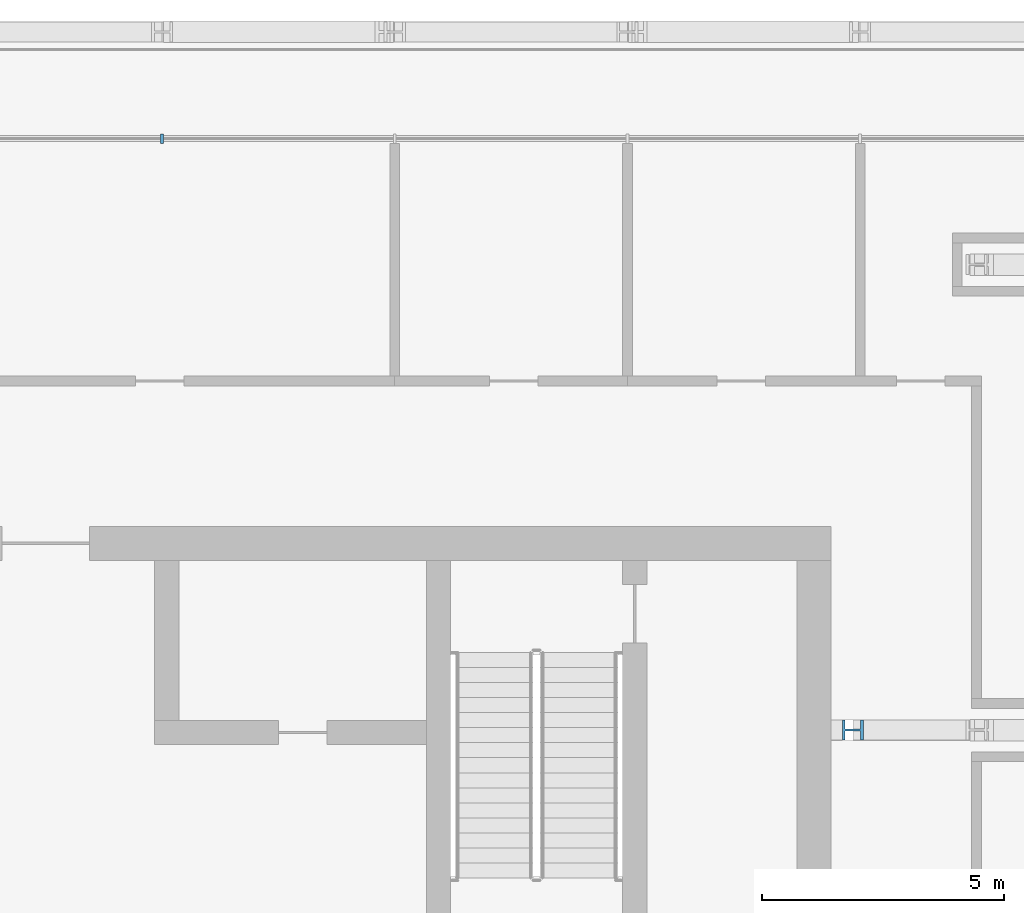
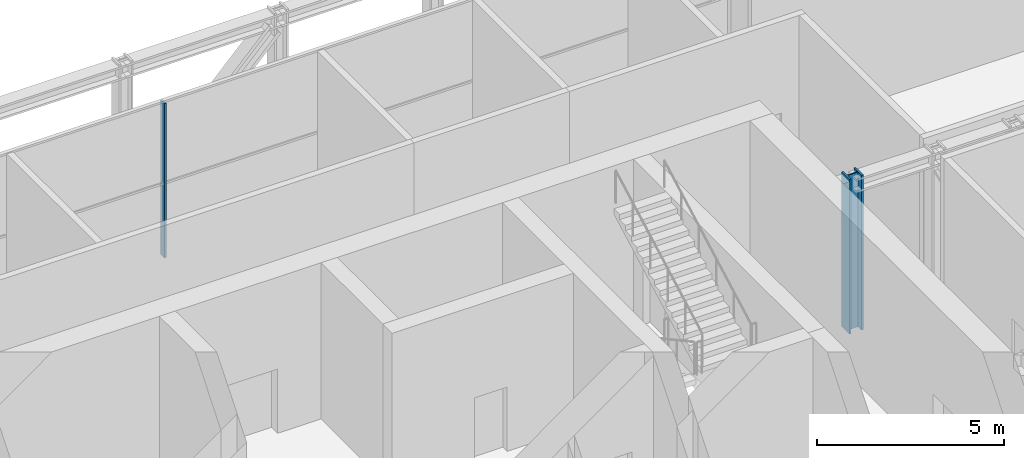
# One storey, part 14 of 30: 2 members, 1 element without a shape of its own.
"""IFC4 building model written with IfcOpenShell, lengths in metres."""

from ifc_helpers import new_model, si_unit, direction, frame, origin, origin_2d, place, context, subcontext, project, spatial, rectangle, i_section, extrude, material, layer, layer_set, material_profile, profile_set, type_object, element, aggregate, save


model = new_model("IFC4")

# Units and contexts
model_context = context("Model", 3, precision=1e-05, world=origin(), true_north=direction((0.0, 1.0)))
body_context = subcontext(model_context, "Body", "Model", "MODEL_VIEW")
ifc_project = project(units=[si_unit("LENGTHUNIT", "METRE"), si_unit("AREAUNIT", "SQUARE_METRE"), si_unit("VOLUMEUNIT", "CUBIC_METRE"), si_unit("PLANEANGLEUNIT", "RADIAN"), si_unit("MASSUNIT", "GRAM", prefix="KILO")], contexts=[model_context])

# Site, building, storey
site_placement = place(None, origin())
site = spatial("IfcSite", under=ifc_project, at=site_placement, CompositionType="ELEMENT")
building_placement = place(site_placement, origin())
building = spatial("IfcBuilding", under=site, at=building_placement, Name="Madar Terraces", CompositionType="ELEMENT")
storey_placement = place(building_placement, frame((0.0, 0.0, 173.5)))
storey = spatial("IfcBuildingStorey", under=building, at=storey_placement, Name="L45", CompositionType="ELEMENT", Elevation=173.5)

# Curtain wall, member
ifc_material_1 = material(Name="Glass, ceramic frit dark grey, with black aluminium frame", Category="aluminium")
ifc_layer = layer(ifc_material_1, 0.199951171875)
ifc_layer_set = layer_set([ifc_layer], Name="Facade curtain wall, tall glazing")
curtain_wall_type = type_object("IfcCurtainWallType", Name="Facade curtain wall, tall glazing", PredefinedType="NOTDEFINED", material=ifc_layer_set)
curtain_wall_placement = place(storey_placement, origin())
curtain_wall = element("IfcCurtainWall", 1, at=curtain_wall_placement, inside=storey, type_object=curtain_wall_type, Name="Outer skin curtain wall north bay 1", PredefinedType="NOTDEFINED")
ifc_material_2 = material(Name="Aluminium, black anodised", Category="aluminium")
ifc_material_profile_1 = material_profile(ifc_material_2, rectangle(XDim=0.199951171875, YDim=0.06005859375, at=origin_2d()), Name="Facade mullion 60x200")
ifc_profile_set_1 = profile_set([ifc_material_profile_1], Name="Aluminium, black anodised")
member_type_1 = type_object("IfcMemberType", Name="Facade mullion 60x200", PredefinedType="MULLION", material=ifc_profile_set_1)
member_1_placement = place(storey_placement, frame((33.60009765625, 45.800048828125, 0.0), z_axis=(0.0, 0.0, 1.0), x_axis=(0.0, -1.0, 0.0)))
member_1 = element("IfcMember", 2, at=member_1_placement, type_object=member_type_1, Name="Mullion 5", PredefinedType="MULLION", context=body_context, shape_type="SweptSolid", body=[
    extrude(rectangle(XDim=0.199951171875, YDim=0.06005859375, at=origin_2d()), origin(), (0.0, 0.0, 1.0), 5.0400390625),
])
aggregate(curtain_wall, [member_1])

# Member
ifc_material_3 = material(Name="Steel ASTM A913 Grade 65", Category="steel")
ifc_material_profile_2 = material_profile(ifc_material_3, i_section(OverallWidth=0.411376953125, OverallDepth=0.434326171875, WebThickness=0.035888671875, FlangeThickness=0.057373046875, at=origin_2d()), Name="W14x311")
ifc_profile_set_2 = profile_set([ifc_material_profile_2], Name="Steel ASTM A913 Grade 65")
member_type_2 = type_object("IfcMemberType", Name="TV6 W14x311", PredefinedType="POST", material=ifc_profile_set_2)
member_2_placement = place(storey_placement, frame((47.85009765625, 33.60009765625, 0.044921875), z_axis=(0.0, 0.0, 1.0), x_axis=(0.0, 1.0, 0.0)))
element("IfcMember", 3, at=member_2_placement, inside=storey, type_object=member_type_2, Name="Exoskeleton truss cross E33.6 post TV6", PredefinedType="POST", context=body_context, shape_type="SweptSolid", body=[
    extrude(i_section(OverallWidth=0.411376953125, OverallDepth=0.434326171875, WebThickness=0.035888671875, FlangeThickness=0.057373046875, at=origin_2d()), origin(), (0.0, 0.0, 1.0), 5.05517578125),
])

save(model, "model.ifc")
